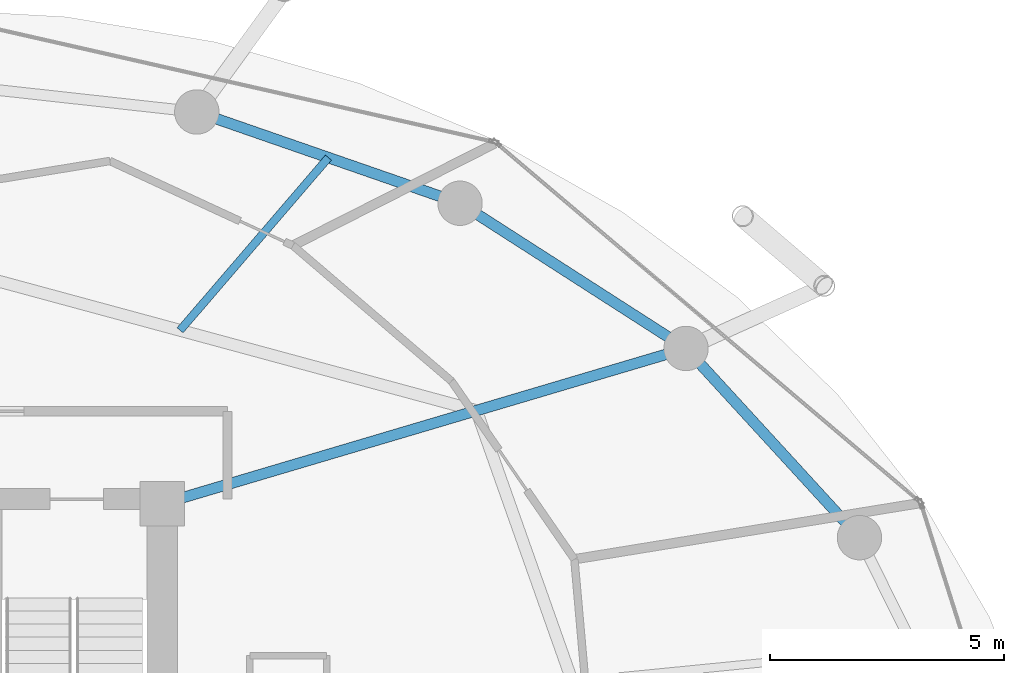
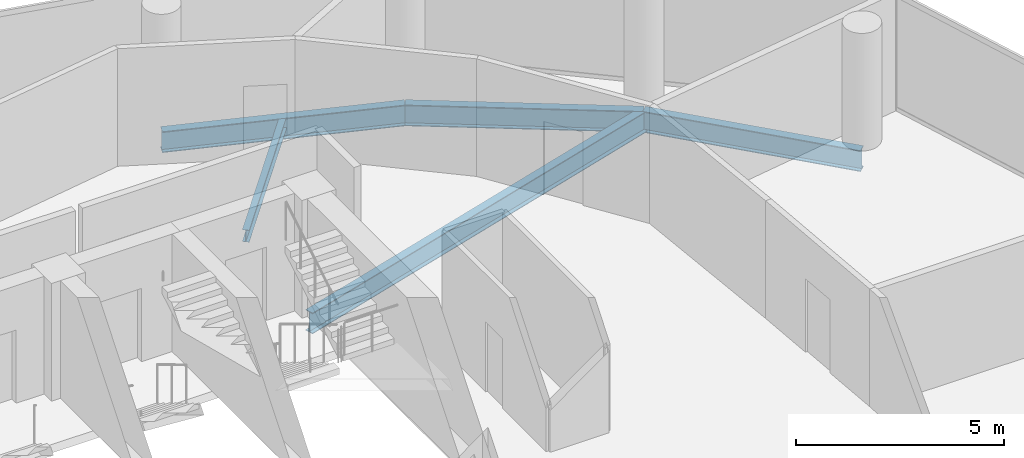
# One storey, part 18 of 26: 5 beams.
"""IFC4 building model written with IfcOpenShell, lengths in metres."""

from ifc_helpers import new_model, si_unit, direction, frame, origin, origin_2d, place, context, subcontext, project, spatial, i_section, extrude, material, material_profile, profile_set, type_object, element, save


model = new_model("IFC4")

# Units and contexts
model_context = context("Model", 3, precision=1e-05, world=origin(), true_north=direction((0.0, 1.0)))
body_context = subcontext(model_context, "Body", "Model", "MODEL_VIEW")
ifc_project = project(units=[si_unit("LENGTHUNIT", "METRE"), si_unit("AREAUNIT", "SQUARE_METRE"), si_unit("VOLUMEUNIT", "CUBIC_METRE"), si_unit("PLANEANGLEUNIT", "RADIAN"), si_unit("MASSUNIT", "GRAM", prefix="KILO")], contexts=[model_context])

# Site, building, storey
site_placement = place(None, origin())
site = spatial("IfcSite", under=ifc_project, at=site_placement, CompositionType="ELEMENT")
building_placement = place(site_placement, origin())
building = spatial("IfcBuilding", under=site, at=building_placement, Name="Nuhasar Tower", CompositionType="ELEMENT")
storey_placement = place(building_placement, frame((0.0, 0.0, 188.550048828125)))
storey = spatial("IfcBuildingStorey", under=building, at=storey_placement, Name="L46", CompositionType="ELEMENT", Elevation=188.550048828125)

# Beams
ifc_material = material(Name="Steel S355", Category="steel")
ifc_material_profile_1 = material_profile(ifc_material, i_section(OverallWidth=0.1708984375, OverallDepth=0.35205078125, WebThickness=0.0068359375, FlangeThickness=0.009765625, at=origin_2d()), Name="W14X30")
ifc_profile_set_1 = profile_set([ifc_material_profile_1], Name="Steel S355")
beam_type_1 = type_object("IfcBeamType", Name="BM-JST-W14X30", PredefinedType="JOIST", material=ifc_profile_set_1)
beam_1_placement = place(storey_placement, frame((44.68408203125, 41.011962890625, -0.426025390625), z_axis=(0.651690621509, 0.758484893612, 0.0), x_axis=(-0.758484893612, 0.651690621509, 0.0)))
element("IfcBeam", 1, at=beam_1_placement, inside=storey, type_object=beam_type_1, Name="L46 Secondary Floor Joist 05", PredefinedType="JOIST", context=body_context, shape_type="SweptSolid", body=[
    extrude(i_section(OverallWidth=0.1708984375, OverallDepth=0.35205078125, WebThickness=0.0068359375, FlangeThickness=0.009765625, at=origin_2d()), origin(), (0.0, 0.0, 1.0), 4.87158203125),
])
ifc_material_profile_2 = material_profile(ifc_material, i_section(OverallWidth=0.22900390625, OverallDepth=0.612060546875, WebThickness=0.011962890625, FlangeThickness=0.01953125, at=origin_2d()), Name="W24X84")
ifc_profile_set_2 = profile_set([ifc_material_profile_2], Name="Steel S355")
beam_type_2 = type_object("IfcBeamType", Name="BM-RAD-W24X84", PredefinedType="BEAM", material=ifc_profile_set_2)
beam_2_placement = place(storey_placement, frame((44.300048828125, 37.300048828125, -0.55615234375), z_axis=(0.958746492721, 0.284262489076, 0.0), x_axis=(-0.284262489076, 0.958746492721, 0.0)))
element("IfcBeam", 2, at=beam_2_placement, inside=storey, type_object=beam_type_2, Name="L46 Radial Floor Girder 05", PredefinedType="BEAM", context=body_context, shape_type="SweptSolid", body=[
    extrude(i_section(OverallWidth=0.22900390625, OverallDepth=0.612060546875, WebThickness=0.011962890625, FlangeThickness=0.01953125, at=origin_2d()), origin(), (0.0, 0.0, 1.0), 11.693359375),
])
ifc_material_profile_3 = material_profile(ifc_material, i_section(OverallWidth=0.22998046875, OverallDepth=0.616943359375, WebThickness=0.01318359375, FlangeThickness=0.022216796875, at=origin_2d()), Name="W24X94")
ifc_profile_set_3 = profile_set([ifc_material_profile_3], Name="Steel S355")
beam_type_3 = type_object("IfcBeamType", Name="BM-RING-W24X94", PredefinedType="SPANDREL", material=ifc_profile_set_3)
beam_3_placement = place(storey_placement, frame((59.221923828125, 36.574951171875, -0.55810546875), z_axis=(-0.675654174897, 0.737218716491, 0.0), x_axis=(-0.737218716491, -0.675654174897, 0.0)))
element("IfcBeam", 3, at=beam_3_placement, inside=storey, type_object=beam_type_3, Name="L46 Perimeter Ring Spandrel 03", PredefinedType="SPANDREL", context=body_context, shape_type="SweptSolid", body=[
    extrude(i_section(OverallWidth=0.22998046875, OverallDepth=0.616943359375, WebThickness=0.01318359375, FlangeThickness=0.022216796875, at=origin_2d()), origin(), (0.0, 0.0, 1.0), 5.492431640625),
])
beam_4_placement = place(storey_placement, frame((55.510986328125, 40.6240234375, -0.55810546875), z_axis=(-0.841327486207, 0.540525726448, 0.0), x_axis=(-0.540525726448, -0.841327486207, 0.0)))
element("IfcBeam", 4, at=beam_4_placement, inside=storey, type_object=beam_type_3, Name="L46 Perimeter Ring Spandrel 04", PredefinedType="SPANDREL", context=body_context, shape_type="SweptSolid", body=[
    extrude(i_section(OverallWidth=0.22998046875, OverallDepth=0.616943359375, WebThickness=0.01318359375, FlangeThickness=0.022216796875, at=origin_2d()), origin(), (0.0, 0.0, 1.0), 5.748046875),
])
beam_5_placement = place(storey_placement, frame((50.675048828125, 43.73095703125, -0.55810546875), z_axis=(-0.944801380051, 0.327643636066, 0.0), x_axis=(-0.327643636066, -0.944801380051, 0.0)))
element("IfcBeam", 5, at=beam_5_placement, inside=storey, type_object=beam_type_3, Name="L46 Perimeter Ring Spandrel 05", PredefinedType="SPANDREL", context=body_context, shape_type="SweptSolid", body=[
    extrude(i_section(OverallWidth=0.22998046875, OverallDepth=0.616943359375, WebThickness=0.01318359375, FlangeThickness=0.022216796875, at=origin_2d()), origin(), (0.0, 0.0, 1.0), 5.961181640625),
])

save(model, "model.ifc")
